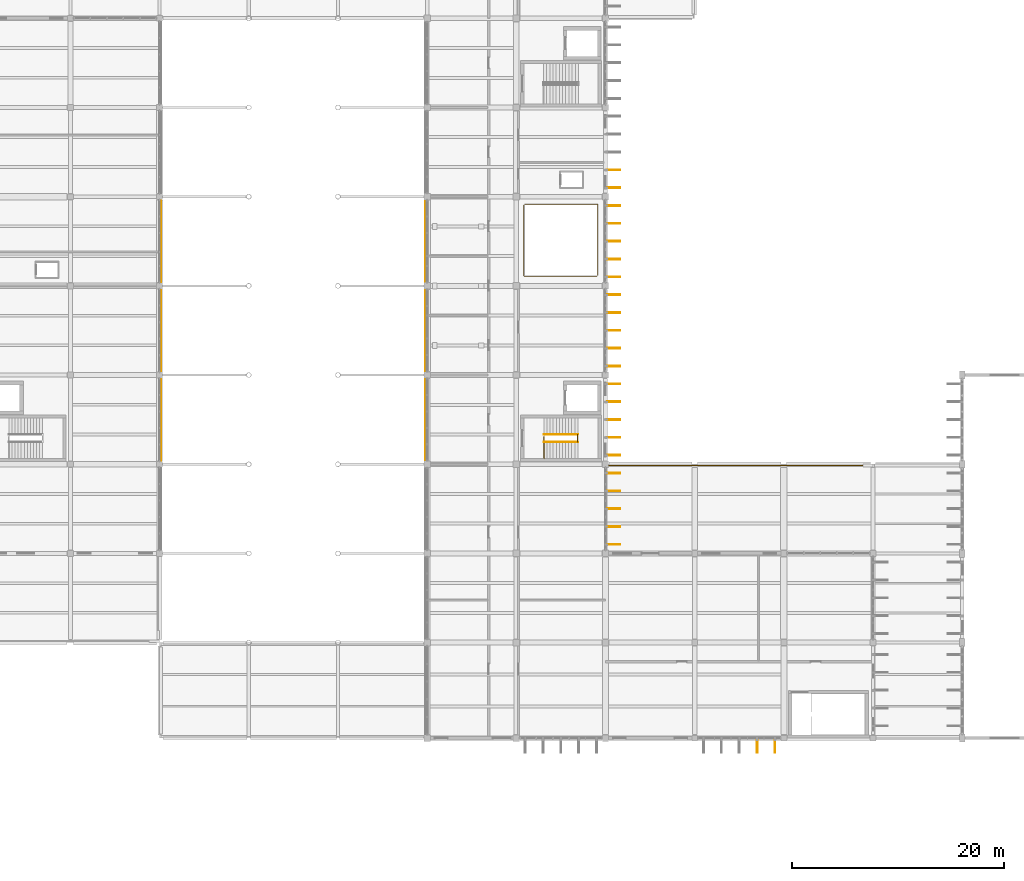
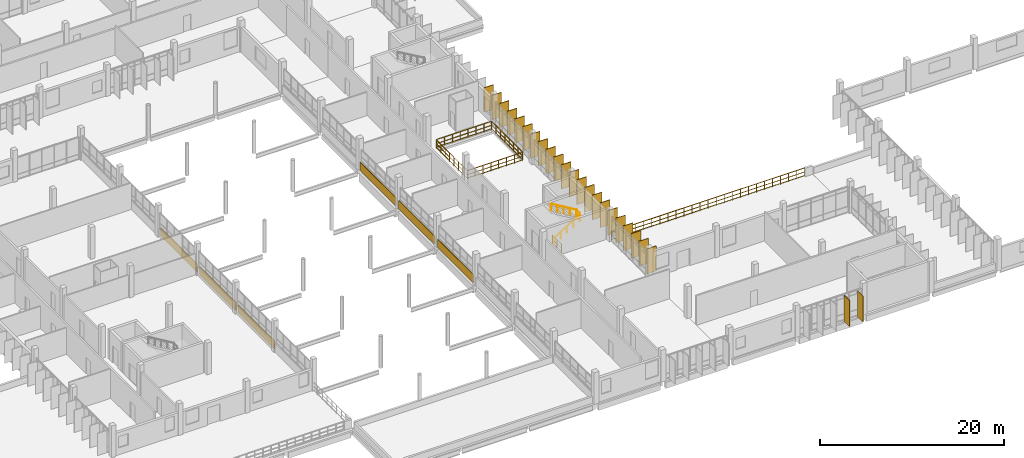
# One storey, part 126 of 130: 24 shading devices, 7 railings, 6 coverings.
"""IFC4 building model written with IfcOpenShell, lengths in metres."""

from ifc_helpers import new_model, si_unit, direction, frame, origin, origin_2d, place, context, subcontext, project, spatial, rectangle, circle, extrude, material, layer, layer_set, material_profile, profile_set, type_object, element, save


model = new_model("IFC4")

# Units and contexts
model_context = context("Model", 3, precision=1e-05, world=origin(), true_north=direction((0.0, 1.0)))
body_context = subcontext(model_context, "Body", "Model", "MODEL_VIEW")
ifc_project = project(units=[si_unit("LENGTHUNIT", "METRE"), si_unit("AREAUNIT", "SQUARE_METRE"), si_unit("VOLUMEUNIT", "CUBIC_METRE"), si_unit("PLANEANGLEUNIT", "RADIAN"), si_unit("MASSUNIT", "GRAM", prefix="KILO")], contexts=[model_context])

# Site, building, storey
site_placement = place(None, origin())
site = spatial("IfcSite", under=ifc_project, at=site_placement, CompositionType="ELEMENT")
building_placement = place(site_placement, origin())
building = spatial("IfcBuilding", under=site, at=building_placement, Name="Vireocrest Preparatory School", CompositionType="ELEMENT")
storey_placement = place(building_placement, frame((0.0, 0.0, 9.0)))
storey = spatial("IfcBuildingStorey", under=building, at=storey_placement, Name="L02", CompositionType="ELEMENT", Elevation=9.0)

# Railings
ifc_material_1 = material(Name="Brushed stainless steel AISI 316", Category="steel")
railing_type_1 = type_object("IfcRailingType", Name="Post-and-Rail Guard Balustrade 1120", PredefinedType="BALUSTRADE", material=ifc_material_1)
railing_1_placement = place(storey_placement, frame((101.52001953125, 68.199951171875, 0.0)))
element("IfcRailing", 1, at=railing_1_placement, inside=storey, type_object=railing_type_1, Name="Terrace and Deck Guard Balustrade GR1 L02 LIB_VOID_GUARD_SW", PredefinedType="BALUSTRADE", context=body_context, shape_type="SweptSolid", body=[
    extrude(circle(Radius=0.02392578125, at=origin_2d()), frame((0.0, 0.0, 1.09619140625), z_axis=(0.0, -1.0, 0.0), x_axis=(1.0, 0.0, 0.0)), (0.0, 0.0, 1.0), 6.679931640625),
    extrude(circle(Radius=0.01806640625, at=origin_2d()), frame((0.0, 0.0, 0.56005859375), z_axis=(0.0, -1.0, 0.0), x_axis=(1.0, 0.0, 0.0)), (0.0, 0.0, 1.0), 6.679931640625),
    extrude(circle(Radius=0.01806640625, at=origin_2d()), frame((0.0, 0.0, 0.10009765625), z_axis=(0.0, -1.0, 0.0), x_axis=(1.0, 0.0, 0.0)), (0.0, 0.0, 1.0), 6.679931640625),
    extrude(circle(Radius=0.02392578125, at=origin_2d()), frame((0.0, -6.679931640625, 1.09619140625), z_axis=(1.0, 0.0, 0.0), x_axis=(0.0, 1.0, 0.0)), (0.0, 0.0, 1.0), 6.8798828125),
    extrude(circle(Radius=0.01806640625, at=origin_2d()), frame((0.0, -6.679931640625, 0.56005859375), z_axis=(1.0, 0.0, 0.0), x_axis=(0.0, 1.0, 0.0)), (0.0, 0.0, 1.0), 6.8798828125),
    extrude(circle(Radius=0.01806640625, at=origin_2d()), frame((0.0, -6.679931640625, 0.10009765625), z_axis=(1.0, 0.0, 0.0), x_axis=(0.0, 1.0, 0.0)), (0.0, 0.0, 1.0), 6.8798828125),
    extrude(circle(Radius=0.02099609375, at=origin_2d()), origin(), (0.0, 0.0, 1.0), 1.072021484375),
    extrude(circle(Radius=0.02099609375, at=origin_2d()), frame((0.0, -0.954345703125, 0.0)), (0.0, 0.0, 1.0), 1.072021484375),
    extrude(circle(Radius=0.02099609375, at=origin_2d()), frame((0.0, -1.908447265625, 0.0)), (0.0, 0.0, 1.0), 1.072021484375),
    extrude(circle(Radius=0.02099609375, at=origin_2d()), frame((0.0, -2.86279296875, 0.0)), (0.0, 0.0, 1.0), 1.072021484375),
    extrude(circle(Radius=0.02099609375, at=origin_2d()), frame((0.0, -3.817138671875, 0.0)), (0.0, 0.0, 1.0), 1.072021484375),
    extrude(circle(Radius=0.02099609375, at=origin_2d()), frame((0.0, -4.771484375, 0.0)), (0.0, 0.0, 1.0), 1.072021484375),
    extrude(circle(Radius=0.02099609375, at=origin_2d()), frame((0.0, -5.7255859375, 0.0)), (0.0, 0.0, 1.0), 1.072021484375),
    extrude(circle(Radius=0.02099609375, at=origin_2d()), frame((0.0, -6.679931640625, 0.0)), (0.0, 0.0, 1.0), 1.072021484375),
    extrude(circle(Radius=0.02099609375, at=origin_2d()), frame((0.98291015625, -6.679931640625, 0.0)), (0.0, 0.0, 1.0), 1.072021484375),
    extrude(circle(Radius=0.02099609375, at=origin_2d()), frame((1.965576171875, -6.679931640625, 0.0)), (0.0, 0.0, 1.0), 1.072021484375),
    extrude(circle(Radius=0.02099609375, at=origin_2d()), frame((2.948486328125, -6.679931640625, 0.0)), (0.0, 0.0, 1.0), 1.072021484375),
    extrude(circle(Radius=0.02099609375, at=origin_2d()), frame((3.931396484375, -6.679931640625, 0.0)), (0.0, 0.0, 1.0), 1.072021484375),
    extrude(circle(Radius=0.02099609375, at=origin_2d()), frame((4.914306640625, -6.679931640625, 0.0)), (0.0, 0.0, 1.0), 1.072021484375),
    extrude(circle(Radius=0.02099609375, at=origin_2d()), frame((5.89697265625, -6.679931640625, 0.0)), (0.0, 0.0, 1.0), 1.072021484375),
    extrude(circle(Radius=0.02099609375, at=origin_2d()), frame((6.8798828125, -6.679931640625, 0.0)), (0.0, 0.0, 1.0), 1.072021484375),
])
railing_2_placement = place(storey_placement, frame((108.47998046875, 61.60009765625, 0.0)))
element("IfcRailing", 2, at=railing_2_placement, inside=storey, type_object=railing_type_1, Name="Terrace and Deck Guard Balustrade GR1 L02 LIB_VOID_GUARD_NE", PredefinedType="BALUSTRADE", context=body_context, shape_type="SweptSolid", body=[
    extrude(circle(Radius=0.02392578125, at=origin_2d()), frame((0.0, 0.0, 1.09619140625), z_axis=(0.0, 1.0, 0.0), x_axis=(-1.0, 0.0, 0.0)), (0.0, 0.0, 1.0), 6.679931640625),
    extrude(circle(Radius=0.01806640625, at=origin_2d()), frame((0.0, 0.0, 0.56005859375), z_axis=(0.0, 1.0, 0.0), x_axis=(-1.0, 0.0, 0.0)), (0.0, 0.0, 1.0), 6.679931640625),
    extrude(circle(Radius=0.01806640625, at=origin_2d()), frame((0.0, 0.0, 0.10009765625), z_axis=(0.0, 1.0, 0.0), x_axis=(-1.0, 0.0, 0.0)), (0.0, 0.0, 1.0), 6.679931640625),
    extrude(circle(Radius=0.02392578125, at=origin_2d()), frame((0.0, 6.679931640625, 1.09619140625), z_axis=(-1.0, 0.0, 0.0), x_axis=(0.0, -1.0, 0.0)), (0.0, 0.0, 1.0), 6.8798828125),
    extrude(circle(Radius=0.01806640625, at=origin_2d()), frame((0.0, 6.679931640625, 0.56005859375), z_axis=(-1.0, 0.0, 0.0), x_axis=(0.0, -1.0, 0.0)), (0.0, 0.0, 1.0), 6.8798828125),
    extrude(circle(Radius=0.01806640625, at=origin_2d()), frame((0.0, 6.679931640625, 0.10009765625), z_axis=(-1.0, 0.0, 0.0), x_axis=(0.0, -1.0, 0.0)), (0.0, 0.0, 1.0), 6.8798828125),
    extrude(circle(Radius=0.02099609375, at=origin_2d()), origin(), (0.0, 0.0, 1.0), 1.072021484375),
    extrude(circle(Radius=0.02099609375, at=origin_2d()), frame((0.0, 0.954345703125, 0.0)), (0.0, 0.0, 1.0), 1.072021484375),
    extrude(circle(Radius=0.02099609375, at=origin_2d()), frame((0.0, 1.908447265625, 0.0)), (0.0, 0.0, 1.0), 1.072021484375),
    extrude(circle(Radius=0.02099609375, at=origin_2d()), frame((0.0, 2.86279296875, 0.0)), (0.0, 0.0, 1.0), 1.072021484375),
    extrude(circle(Radius=0.02099609375, at=origin_2d()), frame((0.0, 3.817138671875, 0.0)), (0.0, 0.0, 1.0), 1.072021484375),
    extrude(circle(Radius=0.02099609375, at=origin_2d()), frame((0.0, 4.771484375, 0.0)), (0.0, 0.0, 1.0), 1.072021484375),
    extrude(circle(Radius=0.02099609375, at=origin_2d()), frame((0.0, 5.7255859375, 0.0)), (0.0, 0.0, 1.0), 1.072021484375),
    extrude(circle(Radius=0.02099609375, at=origin_2d()), frame((0.0, 6.679931640625, 0.0)), (0.0, 0.0, 1.0), 1.072021484375),
    extrude(circle(Radius=0.02099609375, at=origin_2d()), frame((-0.98291015625, 6.679931640625, 0.0)), (0.0, 0.0, 1.0), 1.072021484375),
    extrude(circle(Radius=0.02099609375, at=origin_2d()), frame((-1.965576171875, 6.679931640625, 0.0)), (0.0, 0.0, 1.0), 1.072021484375),
    extrude(circle(Radius=0.02099609375, at=origin_2d()), frame((-2.948486328125, 6.679931640625, 0.0)), (0.0, 0.0, 1.0), 1.072021484375),
    extrude(circle(Radius=0.02099609375, at=origin_2d()), frame((-3.931396484375, 6.679931640625, 0.0)), (0.0, 0.0, 1.0), 1.072021484375),
    extrude(circle(Radius=0.02099609375, at=origin_2d()), frame((-4.914306640625, 6.679931640625, 0.0)), (0.0, 0.0, 1.0), 1.072021484375),
    extrude(circle(Radius=0.02099609375, at=origin_2d()), frame((-5.89697265625, 6.679931640625, 0.0)), (0.0, 0.0, 1.0), 1.072021484375),
    extrude(circle(Radius=0.02099609375, at=origin_2d()), frame((-6.8798828125, 6.679931640625, 0.0)), (0.0, 0.0, 1.0), 1.072021484375),
])
railing_3_placement = place(storey_placement, frame((109.280029296875, 43.669921875, 0.0)))
element("IfcRailing", 3, at=railing_3_placement, inside=storey, type_object=railing_type_1, Name="Terrace and Deck Guard Balustrade GR1 L02 EAST_L02_TERR", PredefinedType="BALUSTRADE", context=body_context, shape_type="SweptSolid", body=[
    extrude(circle(Radius=0.02392578125, at=origin_2d()), frame((0.0, 0.0, 1.09619140625), z_axis=(1.0, 0.0, 0.0), x_axis=(0.0, 1.0, 0.0)), (0.0, 0.0, 1.0), 24.18994140625),
    extrude(circle(Radius=0.01806640625, at=origin_2d()), frame((0.0, 0.0, 0.56005859375), z_axis=(1.0, 0.0, 0.0), x_axis=(0.0, 1.0, 0.0)), (0.0, 0.0, 1.0), 24.18994140625),
    extrude(circle(Radius=0.01806640625, at=origin_2d()), frame((0.0, 0.0, 0.10009765625), z_axis=(1.0, 0.0, 0.0), x_axis=(0.0, 1.0, 0.0)), (0.0, 0.0, 1.0), 24.18994140625),
    extrude(circle(Radius=0.02099609375, at=origin_2d()), origin(), (0.0, 0.0, 1.0), 1.072021484375),
    extrude(circle(Radius=0.02099609375, at=origin_2d()), frame((1.0078125, 0.0, 0.0)), (0.0, 0.0, 1.0), 1.072021484375),
    extrude(circle(Radius=0.02099609375, at=origin_2d()), frame((2.015869140625, 0.0, 0.0)), (0.0, 0.0, 1.0), 1.072021484375),
    extrude(circle(Radius=0.02099609375, at=origin_2d()), frame((3.023681640625, 0.0, 0.0)), (0.0, 0.0, 1.0), 1.072021484375),
    extrude(circle(Radius=0.02099609375, at=origin_2d()), frame((4.03173828125, 0.0, 0.0)), (0.0, 0.0, 1.0), 1.072021484375),
    extrude(circle(Radius=0.02099609375, at=origin_2d()), frame((5.03955078125, 0.0, 0.0)), (0.0, 0.0, 1.0), 1.072021484375),
    extrude(circle(Radius=0.02099609375, at=origin_2d()), frame((6.04736328125, 0.0, 0.0)), (0.0, 0.0, 1.0), 1.072021484375),
    extrude(circle(Radius=0.02099609375, at=origin_2d()), frame((7.055419921875, 0.0, 0.0)), (0.0, 0.0, 1.0), 1.072021484375),
    extrude(circle(Radius=0.02099609375, at=origin_2d()), frame((8.063232421875, 0.0, 0.0)), (0.0, 0.0, 1.0), 1.072021484375),
    extrude(circle(Radius=0.02099609375, at=origin_2d()), frame((9.0712890625, 0.0, 0.0)), (0.0, 0.0, 1.0), 1.072021484375),
    extrude(circle(Radius=0.02099609375, at=origin_2d()), frame((10.0791015625, 0.0, 0.0)), (0.0, 0.0, 1.0), 1.072021484375),
    extrude(circle(Radius=0.02099609375, at=origin_2d()), frame((11.087158203125, 0.0, 0.0)), (0.0, 0.0, 1.0), 1.072021484375),
    extrude(circle(Radius=0.02099609375, at=origin_2d()), frame((12.094970703125, 0.0, 0.0)), (0.0, 0.0, 1.0), 1.072021484375),
    extrude(circle(Radius=0.02099609375, at=origin_2d()), frame((13.102783203125, 0.0, 0.0)), (0.0, 0.0, 1.0), 1.072021484375),
    extrude(circle(Radius=0.02099609375, at=origin_2d()), frame((14.11083984375, 0.0, 0.0)), (0.0, 0.0, 1.0), 1.072021484375),
    extrude(circle(Radius=0.02099609375, at=origin_2d()), frame((15.11865234375, 0.0, 0.0)), (0.0, 0.0, 1.0), 1.072021484375),
    extrude(circle(Radius=0.02099609375, at=origin_2d()), frame((16.126708984375, 0.0, 0.0)), (0.0, 0.0, 1.0), 1.072021484375),
    extrude(circle(Radius=0.02099609375, at=origin_2d()), frame((17.134521484375, 0.0, 0.0)), (0.0, 0.0, 1.0), 1.072021484375),
    extrude(circle(Radius=0.02099609375, at=origin_2d()), frame((18.142578125, 0.0, 0.0)), (0.0, 0.0, 1.0), 1.072021484375),
    extrude(circle(Radius=0.02099609375, at=origin_2d()), frame((19.150390625, 0.0, 0.0)), (0.0, 0.0, 1.0), 1.072021484375),
    extrude(circle(Radius=0.02099609375, at=origin_2d()), frame((20.158203125, 0.0, 0.0)), (0.0, 0.0, 1.0), 1.072021484375),
    extrude(circle(Radius=0.02099609375, at=origin_2d()), frame((21.166259765625, 0.0, 0.0)), (0.0, 0.0, 1.0), 1.072021484375),
    extrude(circle(Radius=0.02099609375, at=origin_2d()), frame((22.174072265625, 0.0, 0.0)), (0.0, 0.0, 1.0), 1.072021484375),
    extrude(circle(Radius=0.02099609375, at=origin_2d()), frame((23.18212890625, 0.0, 0.0)), (0.0, 0.0, 1.0), 1.072021484375),
    extrude(circle(Radius=0.02099609375, at=origin_2d()), frame((24.18994140625, 0.0, 0.0)), (0.0, 0.0, 1.0), 1.072021484375),
])
railing_4_placement = place(storey_placement, frame((103.425048828125, 44.35009765625, 0.0)))
element("IfcRailing", 4, at=railing_4_placement, inside=storey, type_object=railing_type_1, Name="Arrival Landing Guard ST2-L01", PredefinedType="BALUSTRADE", context=body_context, shape_type="SweptSolid", body=[
    extrude(circle(Radius=0.02392578125, at=origin_2d()), frame((0.0, 0.0, 1.09619140625), z_axis=(0.0, 1.0, 0.0), x_axis=(-1.0, 0.0, 0.0)), (0.0, 0.0, 1.0), 2.02001953125),
    extrude(circle(Radius=0.01806640625, at=origin_2d()), frame((0.0, 0.0, 0.56005859375), z_axis=(0.0, 1.0, 0.0), x_axis=(-1.0, 0.0, 0.0)), (0.0, 0.0, 1.0), 2.02001953125),
    extrude(circle(Radius=0.01806640625, at=origin_2d()), frame((0.0, 0.0, 0.10009765625), z_axis=(0.0, 1.0, 0.0), x_axis=(-1.0, 0.0, 0.0)), (0.0, 0.0, 1.0), 2.02001953125),
    extrude(circle(Radius=0.02099609375, at=origin_2d()), origin(), (0.0, 0.0, 1.0), 1.072021484375),
    extrude(circle(Radius=0.02099609375, at=origin_2d()), frame((0.0, 1.010009765625, 0.0)), (0.0, 0.0, 1.0), 1.072021484375),
    extrude(circle(Radius=0.02099609375, at=origin_2d()), frame((0.0, 2.02001953125, 0.0)), (0.0, 0.0, 1.0), 1.072021484375),
])
railing_5_placement = place(storey_placement, frame((106.574951171875, 45.8798828125, 2.10009765625)))
element("IfcRailing", 5, at=railing_5_placement, inside=storey, type_object=railing_type_1, Name="Half-Landing Well Guard ST2-L02", PredefinedType="BALUSTRADE", context=body_context, shape_type="SweptSolid", body=[
    extrude(circle(Radius=0.02392578125, at=origin_2d()), frame((0.0, 0.0, 1.09619140625), z_axis=(0.0, 1.0, 0.0), x_axis=(-1.0, 0.0, 0.0)), (0.0, 0.0, 1.0), 0.740234375),
    extrude(circle(Radius=0.01806640625, at=origin_2d()), frame((0.0, 0.0, 0.56005859375), z_axis=(0.0, 1.0, 0.0), x_axis=(-1.0, 0.0, 0.0)), (0.0, 0.0, 1.0), 0.740234375),
    extrude(circle(Radius=0.01806640625, at=origin_2d()), frame((0.0, 0.0, 0.10009765625), z_axis=(0.0, 1.0, 0.0), x_axis=(-1.0, 0.0, 0.0)), (0.0, 0.0, 1.0), 0.740234375),
    extrude(circle(Radius=0.02099609375, at=origin_2d()), origin(), (0.0, 0.0, 1.0), 1.072021484375),
    extrude(circle(Radius=0.02099609375, at=origin_2d()), frame((0.0, 0.740234375, 0.0)), (0.0, 0.0, 1.0), 1.072021484375),
])
railing_type_2 = type_object("IfcRailingType", Name="Stair Pitch Handrail 900", PredefinedType="HANDRAIL", material=ifc_material_1)
railing_6_placement = place(storey_placement, frame((103.405029296875, 45.8798828125, 0.175048828125)))
element("IfcRailing", 6, at=railing_6_placement, inside=storey, type_object=railing_type_2, Name="Stair Handrail ST2-L02-HR1", PredefinedType="HANDRAIL", context=body_context, shape_type="SweptSolid", body=[
    extrude(circle(Radius=0.02392578125, at=origin_2d()), frame((0.0, 0.0, 0.8759765625), z_axis=(0.856177665481, 0.0, 0.516681531633), x_axis=(0.0, 1.0, 0.0)), (0.0, 0.0, 1.0), 3.725830078125),
    extrude(circle(Radius=0.02099609375, at=origin_2d()), origin(), (0.0, 0.0, 1.0), 0.851806640625),
    extrude(circle(Radius=0.02099609375, at=origin_2d()), frame((0.79736328125, 0.0, 0.481201171875)), (0.0, 0.0, 1.0), 0.851806640625),
    extrude(circle(Radius=0.02099609375, at=origin_2d()), frame((1.594970703125, 0.0, 0.96240234375)), (0.0, 0.0, 1.0), 0.851806640625),
    extrude(circle(Radius=0.02099609375, at=origin_2d()), frame((2.392578125, 0.0, 1.44384765625)), (0.0, 0.0, 1.0), 0.851806640625),
    extrude(circle(Radius=0.02099609375, at=origin_2d()), frame((3.18994140625, 0.0, 1.925048828125)), (0.0, 0.0, 1.0), 0.851806640625),
])
railing_7_placement = place(storey_placement, frame((106.594970703125, 46.6201171875, 2.27490234375)))
element("IfcRailing", 7, at=railing_7_placement, inside=storey, type_object=railing_type_2, Name="Stair Handrail ST2-L02-HR2", PredefinedType="HANDRAIL", context=body_context, shape_type="SweptSolid", body=[
    extrude(circle(Radius=0.02392578125, at=origin_2d()), frame((0.0, 0.0, 0.8759765625), z_axis=(-0.856177665481, 0.0, 0.516681531633), x_axis=(0.0, -1.0, 0.0)), (0.0, 0.0, 1.0), 3.725830078125),
    extrude(circle(Radius=0.02099609375, at=origin_2d()), origin(), (0.0, 0.0, 1.0), 0.851806640625),
    extrude(circle(Radius=0.02099609375, at=origin_2d()), frame((-0.79736328125, 0.0, 0.481201171875)), (0.0, 0.0, 1.0), 0.851806640625),
    extrude(circle(Radius=0.02099609375, at=origin_2d()), frame((-1.594970703125, 0.0, 0.96240234375)), (0.0, 0.0, 1.0), 0.851806640625),
    extrude(circle(Radius=0.02099609375, at=origin_2d()), frame((-2.392578125, 0.0, 1.44384765625)), (0.0, 0.0, 1.0), 0.851806640625),
    extrude(circle(Radius=0.02099609375, at=origin_2d()), frame((-3.18994140625, 0.0, 1.925048828125)), (0.0, 0.0, 1.0), 0.851806640625),
])

# Shading devices
ifc_material_2 = material(Name="Warm anodised aluminium EN AW-6063-T6", Category="aluminium")
ifc_material_profile = material_profile(ifc_material_2, rectangle(XDim=0.080078125, YDim=1.199951171875, at=origin_2d()), Name="FIN 80x1200")
ifc_profile_set = profile_set([ifc_material_profile], Name="Warm anodised aluminium EN AW-6063-T6")
shading_device_type = type_object("IfcShadingDeviceType", Name="Vertical Anodised Aluminium Solar Fin 1200", PredefinedType="USERDEFINED", material=ifc_profile_set)
for number, where, z_axis, x_axis, name in (
    (8, (109.97998046875, 36.239990234375, 0.02001953125), (0.0, 0.0, 1.0), (0.0, -1.0, 0.0), "Vertical Solar Fin FN1 L02-14-1"),
    (9, (109.97998046875, 37.919921875, 0.02001953125), (0.0, 0.0, 1.0), (0.0, -1.0, 0.0), "Vertical Solar Fin FN1 L02-14-2"),
    (10, (109.97998046875, 39.60009765625, 0.02001953125), (0.0, 0.0, 1.0), (0.0, -1.0, 0.0), "Vertical Solar Fin FN1 L02-14-3"),
    (11, (109.97998046875, 41.280029296875, 0.02001953125), (0.0, 0.0, 1.0), (0.0, -1.0, 0.0), "Vertical Solar Fin FN1 L02-14-4"),
    (12, (109.97998046875, 42.9599609375, 0.02001953125), (0.0, 0.0, 1.0), (0.0, -1.0, 0.0), "Vertical Solar Fin FN1 L02-14-5"),
    (13, (109.97998046875, 44.639892578125, 0.02001953125), (0.0, 0.0, 1.0), (0.0, -1.0, 0.0), "Vertical Solar Fin FN1 L02-15-1"),
    (14, (109.97998046875, 46.320068359375, 0.02001953125), (0.0, 0.0, 1.0), (0.0, -1.0, 0.0), "Vertical Solar Fin FN1 L02-15-2"),
    (15, (109.97998046875, 48.0, 0.02001953125), (0.0, 0.0, 1.0), (0.0, -1.0, 0.0), "Vertical Solar Fin FN1 L02-15-3"),
    (16, (109.97998046875, 49.679931640625, 0.02001953125), (0.0, 0.0, 1.0), (0.0, -1.0, 0.0), "Vertical Solar Fin FN1 L02-15-4"),
    (17, (109.97998046875, 51.360107421875, 0.02001953125), (0.0, 0.0, 1.0), (0.0, -1.0, 0.0), "Vertical Solar Fin FN1 L02-15-5"),
):
    element("IfcShadingDevice", number, at=place(storey_placement, frame(where, z_axis=z_axis, x_axis=x_axis)), inside=storey, type_object=shading_device_type, Name=name, ObjectType="FIN", PredefinedType="USERDEFINED", context=body_context, shape_type="SweptSolid", body=[
        extrude(rectangle(XDim=0.080078125, YDim=1.199951171875, at=origin_2d()), origin(), (0.0, 0.0, 1.0), 3.280029296875),
    ])
for number, where, z_axis, x_axis, name in (
    (18, (109.97998046875, 53.0400390625, 0.02001953125), (0.0, 0.0, 1.0), (0.0, -1.0, 0.0), "Vertical Solar Fin FN1 L02-16-1"),
    (19, (109.97998046875, 54.719970703125, 0.02001953125), (0.0, 0.0, 1.0), (0.0, -1.0, 0.0), "Vertical Solar Fin FN1 L02-16-2"),
    (20, (109.97998046875, 56.39990234375, 0.02001953125), (0.0, 0.0, 1.0), (0.0, -1.0, 0.0), "Vertical Solar Fin FN1 L02-16-3"),
    (21, (109.97998046875, 58.080078125, 0.02001953125), (0.0, 0.0, 1.0), (0.0, -1.0, 0.0), "Vertical Solar Fin FN1 L02-16-4"),
    (22, (109.97998046875, 59.760009765625, 0.02001953125), (0.0, 0.0, 1.0), (0.0, -1.0, 0.0), "Vertical Solar Fin FN1 L02-16-5"),
):
    element("IfcShadingDevice", number, at=place(storey_placement, frame(where, z_axis=z_axis, x_axis=x_axis)), inside=storey, type_object=shading_device_type, Name=name, ObjectType="FIN", PredefinedType="USERDEFINED", context=body_context, shape_type="SweptSolid", body=[
        extrude(rectangle(XDim=0.080078125, YDim=1.199951171875, at=origin_2d()), origin(), (0.0, 0.0, 1.0), 3.22998046875),
    ])
for number, where, z_axis, x_axis, name in (
    (23, (109.97998046875, 61.43994140625, 0.02001953125), (0.0, 0.0, 1.0), (0.0, -1.0, 0.0), "Vertical Solar Fin FN1 L02-17-1"),
    (24, (109.97998046875, 63.1201171875, 0.02001953125), (0.0, 0.0, 1.0), (0.0, -1.0, 0.0), "Vertical Solar Fin FN1 L02-17-2"),
    (25, (109.97998046875, 64.800048828125, 0.02001953125), (0.0, 0.0, 1.0), (0.0, -1.0, 0.0), "Vertical Solar Fin FN1 L02-17-3"),
    (26, (109.97998046875, 66.47998046875, 0.02001953125), (0.0, 0.0, 1.0), (0.0, -1.0, 0.0), "Vertical Solar Fin FN1 L02-17-4"),
    (27, (109.97998046875, 68.159912109375, 0.02001953125), (0.0, 0.0, 1.0), (0.0, -1.0, 0.0), "Vertical Solar Fin FN1 L02-17-5"),
):
    element("IfcShadingDevice", number, at=place(storey_placement, frame(where, z_axis=z_axis, x_axis=x_axis)), inside=storey, type_object=shading_device_type, Name=name, ObjectType="FIN", PredefinedType="USERDEFINED", context=body_context, shape_type="SweptSolid", body=[
        extrude(rectangle(XDim=0.080078125, YDim=1.199951171875, at=origin_2d()), origin(), (0.0, 0.0, 1.0), 3.179931640625),
    ])
for number, where, z_axis, x_axis, name in (
    (28, (109.97998046875, 69.840087890625, 0.02001953125), (0.0, 0.0, 1.0), (0.0, -1.0, 0.0), "Vertical Solar Fin FN1 L02-18-1"),
    (29, (109.97998046875, 71.52001953125, 0.02001953125), (0.0, 0.0, 1.0), (0.0, -1.0, 0.0), "Vertical Solar Fin FN1 L02-18-2"),
):
    element("IfcShadingDevice", number, at=place(storey_placement, frame(where, z_axis=z_axis, x_axis=x_axis)), inside=storey, type_object=shading_device_type, Name=name, ObjectType="FIN", PredefinedType="USERDEFINED", context=body_context, shape_type="SweptSolid", body=[
        extrude(rectangle(XDim=0.080078125, YDim=1.199951171875, at=origin_2d()), origin(), (0.0, 0.0, 1.0), 3.22998046875),
    ])
for number, where, z_axis, x_axis, name in (
    (30, (123.47998046875, 17.219970703125, 0.02001953125), (0.0, 0.0, 1.0), (-1.0, 0.0, 0.0), "Vertical Solar Fin FN1 L02-26-4"),
    (31, (125.159912109375, 17.219970703125, 0.02001953125), (0.0, 0.0, 1.0), (-1.0, 0.0, 0.0), "Vertical Solar Fin FN1 L02-26-5"),
):
    element("IfcShadingDevice", number, at=place(storey_placement, frame(where, z_axis=z_axis, x_axis=x_axis)), inside=storey, type_object=shading_device_type, Name=name, ObjectType="FIN", PredefinedType="USERDEFINED", context=body_context, shape_type="SweptSolid", body=[
        extrude(rectangle(XDim=0.080078125, YDim=1.199951171875, at=origin_2d()), origin(), (0.0, 0.0, 1.0), 3.419921875),
    ])

# Coverings
ifc_material_3 = material(Name="Painted white aluminium cladding EN AW-6063-T6", Category="aluminium")
ifc_layer = layer(ifc_material_3, 0.044921875)
ifc_layer_set = layer_set([ifc_layer], Name="Painted white aluminium cladding EN AW-6063-T6")
covering_type = type_object("IfcCoveringType", Name="White High-Tech Horizontal Spandrel Cladding Band", PredefinedType="CLADDING", material=ifc_layer_set)
for number, where, z_axis, x_axis, name in (
    (32, (92.264892578125, 48.0, 0.030029296875), (0.0, 0.0, 1.0), (1.0, 0.0, 0.0), "White Court Spandrel Band L02-0258"),
    (33, (92.264892578125, 56.39990234375, 0.030029296875), (0.0, 0.0, 1.0), (1.0, 0.0, 0.0), "White Court Spandrel Band L02-0259"),
    (34, (92.264892578125, 64.800048828125, 0.030029296875), (0.0, 0.0, 1.0), (1.0, 0.0, 0.0), "White Court Spandrel Band L02-0260"),
):
    element("IfcCovering", number, at=place(storey_placement, frame(where, z_axis=z_axis, x_axis=x_axis)), inside=storey, type_object=covering_type, Name=name, PredefinedType="CLADDING", context=body_context, shape_type="SweptSolid", body=[
        extrude(rectangle(XDim=0.0849609375, YDim=7.85009765625, at=origin_2d()), origin(), (0.0, 0.0, 1.0), 1.10009765625),
    ])
for number, where, z_axis, x_axis, name in (
    (35, (67.3349609375, 48.0, 0.030029296875), (0.0, 0.0, 1.0), (1.0, 0.0, 0.0), "White Court Spandrel Band L02-0293"),
    (36, (67.3349609375, 56.39990234375, 0.030029296875), (0.0, 0.0, 1.0), (1.0, 0.0, 0.0), "White Court Spandrel Band L02-0294"),
    (37, (67.3349609375, 64.800048828125, 0.030029296875), (0.0, 0.0, 1.0), (1.0, 0.0, 0.0), "White Court Spandrel Band L02-0295"),
):
    element("IfcCovering", number, at=place(storey_placement, frame(where, z_axis=z_axis, x_axis=x_axis)), inside=storey, type_object=covering_type, Name=name, PredefinedType="CLADDING", context=body_context, shape_type="SweptSolid", body=[
        extrude(rectangle(XDim=0.0849609375, YDim=7.89990234375, at=origin_2d()), origin(), (0.0, 0.0, 1.0), 1.10009765625),
    ])

save(model, "model.ifc")
